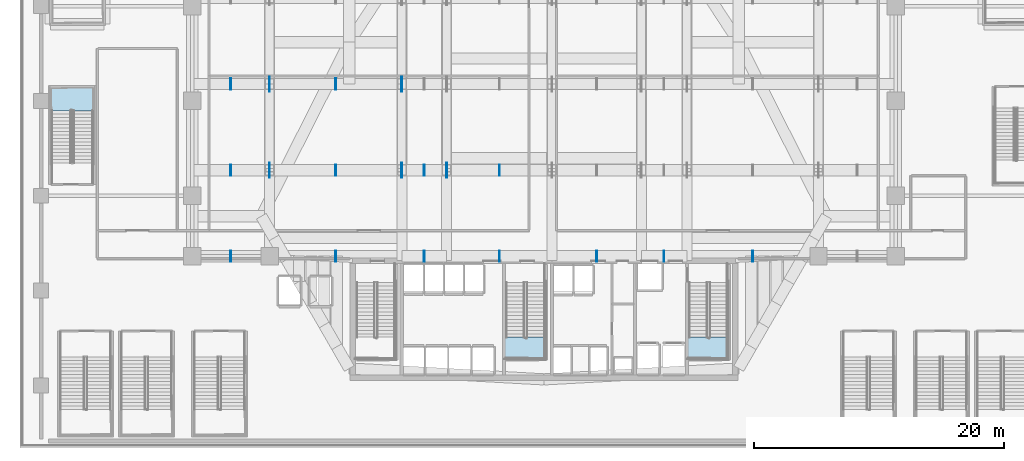
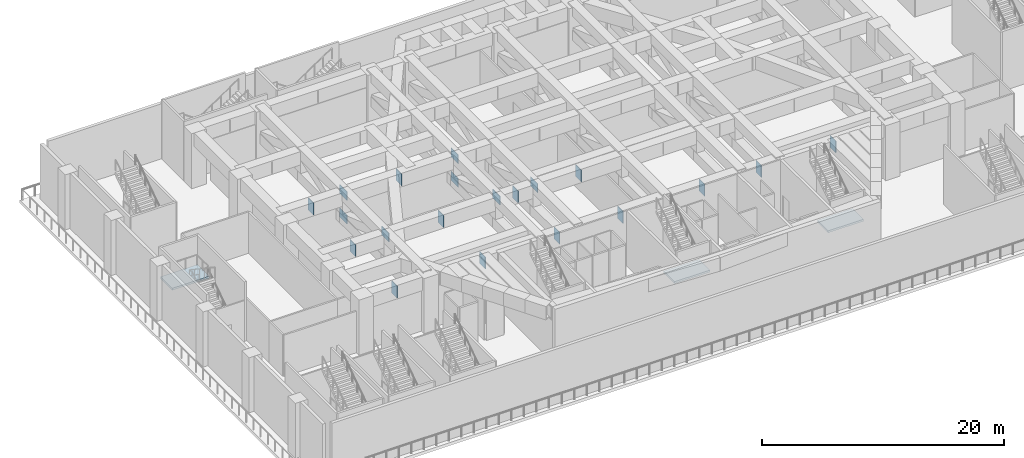
# One storey, part 5 of 27: 20 plates, 3 slabs, 3 elements without a shape of their own.
"""IFC4 building model written with IfcOpenShell, lengths in metres."""

from ifc_helpers import new_model, si_unit, direction, frame, origin, origin_2d, place, context, subcontext, project, spatial, polyline, rectangle, outline, extrude, material, layer, layer_set, type_object, element, aggregate, save


model = new_model("IFC4")

# Units and contexts
model_context = context("Model", 3, precision=1e-05, world=origin(), true_north=direction((0.0, 1.0)))
body_context = subcontext(model_context, "Body", "Model", "MODEL_VIEW")
ifc_project = project(units=[si_unit("LENGTHUNIT", "METRE"), si_unit("AREAUNIT", "SQUARE_METRE"), si_unit("VOLUMEUNIT", "CUBIC_METRE"), si_unit("PLANEANGLEUNIT", "RADIAN"), si_unit("MASSUNIT", "GRAM", prefix="KILO")], contexts=[model_context])

# Site, building, storey
site_placement = place(None, origin())
site = spatial("IfcSite", under=ifc_project, at=site_placement, CompositionType="ELEMENT")
building_placement = place(site_placement, origin())
building = spatial("IfcBuilding", under=site, at=building_placement, Name="Ndaravel Arena Tower", CompositionType="ELEMENT")
storey_placement = place(building_placement, frame((0.0, 0.0, 24.0)))
storey = spatial("IfcBuildingStorey", under=building, at=storey_placement, Name="L04", CompositionType="ELEMENT", Elevation=24.0)

# Plates
ifc_material_1 = material(Name="Steel S460", Category="steel")
ifc_layer_1 = layer(ifc_material_1, 0.06005859375)
ifc_layer_set_1 = layer_set([ifc_layer_1], Name="Steel S460")
plate_type_1 = type_object("IfcPlateType", Name="PLT-CAP-STF1", PredefinedType="USERDEFINED", material=ifc_layer_set_1)
for number, where, z_axis, x_axis, name in (
    (1, (16.89990234375, 15.35009765625, 4.27978515625), (0.0, 0.0, 1.0), (1.0, 0.0, 0.0), "Box Stiffener Plate CP-1.1"),
    (2, (25.300048828125, 15.35009765625, 4.27978515625), (0.0, 0.0, 1.0), (1.0, 0.0, 0.0), "Box Stiffener Plate CP-1.2"),
    (3, (32.39990234375, 15.35009765625, 4.27978515625), (0.0, 0.0, 1.0), (1.0, 0.0, 0.0), "Box Stiffener Plate CP-1.3"),
    (4, (38.425048828125, 15.35009765625, 4.27978515625), (0.0, 0.0, 1.0), (1.0, 0.0, 0.0), "Box Stiffener Plate CP-1.4"),
    (5, (46.22509765625, 15.35009765625, 4.27978515625), (0.0, 0.0, 1.0), (1.0, 0.0, 0.0), "Box Stiffener Plate CP-1.5"),
    (6, (51.625, 15.35009765625, 4.27978515625), (0.0, 0.0, 1.0), (1.0, 0.0, 0.0), "Box Stiffener Plate CP-1.6"),
    (7, (58.72509765625, 15.35009765625, 4.27978515625), (0.0, 0.0, 1.0), (1.0, 0.0, 0.0), "Box Stiffener Plate CP-1.7"),
    (8, (16.89990234375, 22.25, 4.27978515625), (0.0, 0.0, 1.0), (1.0, 0.0, 0.0), "Box Stiffener Plate CP-2.1"),
    (9, (25.300048828125, 22.25, 4.27978515625), (0.0, 0.0, 1.0), (1.0, 0.0, 0.0), "Box Stiffener Plate CP-2.2"),
    (10, (32.39990234375, 22.25, 4.27978515625), (0.0, 0.0, 1.0), (1.0, 0.0, 0.0), "Box Stiffener Plate CP-2.3"),
    (11, (38.425048828125, 22.25, 4.27978515625), (0.0, 0.0, 1.0), (1.0, 0.0, 0.0), "Box Stiffener Plate CP-2.4"),
    (12, (16.89990234375, 29.14990234375, 4.27978515625), (0.0, 0.0, 1.0), (1.0, 0.0, 0.0), "Box Stiffener Plate CP-3.1"),
    (13, (25.300048828125, 29.14990234375, 4.27978515625), (0.0, 0.0, 1.0), (1.0, 0.0, 0.0), "Box Stiffener Plate CP-3.2"),
):
    element("IfcPlate", number, at=place(storey_placement, frame(where, z_axis=z_axis, x_axis=x_axis)), inside=storey, type_object=plate_type_1, Name=name, ObjectType="STIFFENER_PLATE", PredefinedType="USERDEFINED", context=body_context, shape_type="SweptSolid", body=[
        extrude(rectangle(XDim=0.06005859375, YDim=0.89990234375, at=origin_2d()), origin(), (0.0, 0.0, 1.0), 1.199951171875),
    ])
ifc_material_2 = material(Name="Steel S460", Category="steel")
ifc_layer_2 = layer(ifc_material_2, 0.054931640625)
ifc_layer_set_2 = layer_set([ifc_layer_2], Name="Steel S460")
plate_type_2 = type_object("IfcPlateType", Name="PLT-GUSSET-TN2", PredefinedType="USERDEFINED", material=ifc_layer_set_2)
for number, where, z_axis, x_axis, name in (
    (14, (20.0, 22.25, 4.75), (0.0, 0.0, 1.0), (1.0, 0.0, 0.0), "Transfer Node Gusset TN-001"),
    (15, (20.0, 29.14990234375, 4.75), (0.0, 0.0, 1.0), (1.0, 0.0, 0.0), "Transfer Node Gusset TN-002"),
    (16, (30.60009765625, 22.25, 4.75), (0.0, 0.0, 1.0), (1.0, 0.0, 0.0), "Transfer Node Gusset TN-004"),
    (17, (30.60009765625, 29.14990234375, 4.75), (0.0, 0.0, 1.0), (1.0, 0.0, 0.0), "Transfer Node Gusset TN-005"),
    (18, (34.199951171875, 22.25, 4.75), (0.0, 0.0, 1.0), (1.0, 0.0, 0.0), "Transfer Node Gusset TN-007"),
    (19, (20.0, 29.14990234375, 2.3701171875), (0.0, 0.0, 1.0), (1.0, 0.0, 0.0), "L04 Brace End Gusset Plate EGP-001"),
    (20, (30.60009765625, 29.14990234375, 2.3701171875), (0.0, 0.0, 1.0), (1.0, 0.0, 0.0), "L04 Brace End Gusset Plate EGP-003"),
):
    element("IfcPlate", number, at=place(storey_placement, frame(where, z_axis=z_axis, x_axis=x_axis)), inside=storey, type_object=plate_type_2, Name=name, ObjectType="GUSSET_PLATE", PredefinedType="USERDEFINED", context=body_context, shape_type="SweptSolid", body=[
        extrude(rectangle(XDim=0.054931640625, YDim=1.199951171875, at=origin_2d()), origin(), (0.0, 0.0, 1.0), 0.89990234375),
    ])

# Stair, slab
ifc_material_3 = material(Name="Concrete C40/50", Category="concrete")
stair_type_1 = type_object("IfcStairType", Name="STAIR-CORE-HT", PredefinedType="HALF_TURN_STAIR", material=ifc_material_3)
stair_1_placement = place(storey_placement, origin())
stair_1 = element("IfcStair", 21, at=stair_1_placement, inside=storey, type_object=stair_type_1, Name="L04 ST-2", PredefinedType="HALF_TURN_STAIR")
ifc_material_4 = material(Name="Concrete C40/50", Category="concrete")
ifc_layer_3 = layer(ifc_material_4, 0.199951171875)
ifc_layer_set_3 = layer_set([ifc_layer_3], Name="Concrete C40/50")
slab_type = type_object("IfcSlabType", Name="SLAB-STAIR-LANDING", PredefinedType="LANDING", material=ifc_layer_set_3)
slab_1_placement = place(storey_placement, frame((0.0, 0.0, 2.800048828125)))
slab_1 = element("IfcSlab", 22, at=slab_1_placement, type_object=slab_type, Name="ST-2 landing 1", PredefinedType="LANDING", context=body_context, shape_type="SweptSolid", body=[
    extrude(outline(polyline([(38.81005859375, 8.860107421875), (38.81005859375, 7.070068359375), (42.169921875, 7.070068359375), (42.169921875, 8.860107421875), (38.81005859375, 8.860107421875)])), origin(), (0.0, 0.0, 1.0), 0.199951171875),
])
aggregate(stair_1, [slab_1])

stair_2_placement = place(storey_placement, origin())
stair_2 = element("IfcStair", 23, at=stair_2_placement, inside=storey, type_object=stair_type_1, Name="L04 ST-3", PredefinedType="HALF_TURN_STAIR")
slab_2_placement = place(storey_placement, frame((0.0, 0.0, 2.800048828125)))
slab_2 = element("IfcSlab", 24, at=slab_2_placement, type_object=slab_type, Name="ST-3 landing 1", PredefinedType="LANDING", context=body_context, shape_type="SweptSolid", body=[
    extrude(outline(polyline([(53.4599609375, 8.860107421875), (53.4599609375, 7.070068359375), (56.820068359375, 7.070068359375), (56.820068359375, 8.860107421875), (53.4599609375, 8.860107421875)])), origin(), (0.0, 0.0, 1.0), 0.199951171875),
])
aggregate(stair_2, [slab_2])

ifc_material_5 = material(Name="Concrete C40/50", Category="concrete")
stair_type_2 = type_object("IfcStairType", Name="STAIR-POD-QT", PredefinedType="QUARTER_TURN_STAIR", material=ifc_material_5)
stair_3_placement = place(storey_placement, origin())
stair_3 = element("IfcStair", 25, at=stair_3_placement, inside=storey, type_object=stair_type_2, Name="L04 ST-A07", PredefinedType="QUARTER_TURN_STAIR")
slab_3_placement = place(storey_placement, frame((0.0, 0.0, 2.800048828125)))
slab_3 = element("IfcSlab", 26, at=slab_3_placement, type_object=slab_type, Name="ST-A07 landing 1", PredefinedType="LANDING", context=body_context, shape_type="SweptSolid", body=[
    extrude(outline(polyline([(5.9599609375, 26.985107421875), (5.9599609375, 28.929931640625), (2.419921875, 28.929931640625), (2.419921875, 26.985107421875), (5.9599609375, 26.985107421875)])), origin(), (0.0, 0.0, 1.0), 0.199951171875),
])
aggregate(stair_3, [slab_3])

save(model, "model.ifc")
